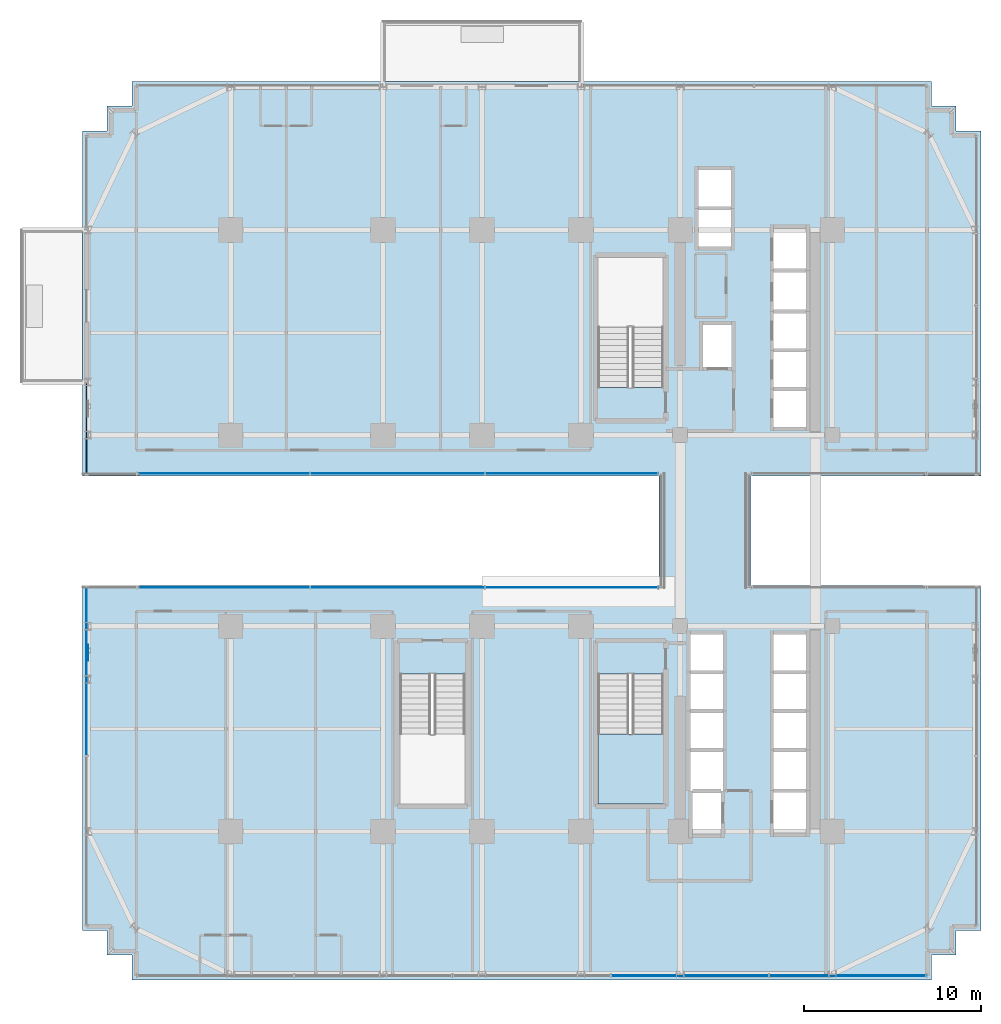
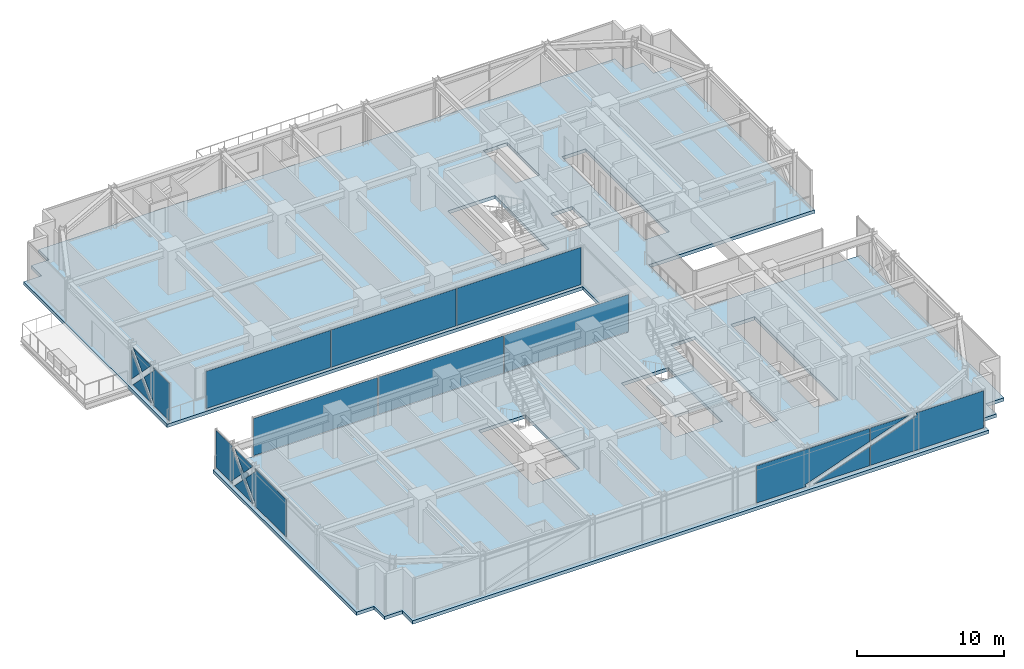
# One storey, part 31 of 43: 11 plates, 2 slabs, 6 elements without a shape of their own.
"""IFC4 building model written with IfcOpenShell, lengths in metres."""

from ifc_helpers import new_model, si_unit, direction, frame, origin, origin_2d, place, context, subcontext, project, spatial, polyline, rectangle, outline, extrude, source, transform, mapped, material, layer, layer_set, type_object, element, aggregate, save


model = new_model("IFC4")

# Units and contexts
model_context = context("Model", 3, precision=1e-05, world=origin(), true_north=direction((0.0, 1.0)))
body_context = subcontext(model_context, "Body", "Model", "MODEL_VIEW")
ifc_project = project(units=[si_unit("LENGTHUNIT", "METRE"), si_unit("AREAUNIT", "SQUARE_METRE"), si_unit("VOLUMEUNIT", "CUBIC_METRE"), si_unit("PLANEANGLEUNIT", "RADIAN"), si_unit("MASSUNIT", "GRAM", prefix="KILO")], contexts=[model_context])

# Site, building, storey
site_placement = place(None, origin())
site = spatial("IfcSite", under=ifc_project, at=site_placement, CompositionType="ELEMENT")
building_placement = place(site_placement, origin())
building = spatial("IfcBuilding", under=site, at=building_placement, Name="Nahalor Promenade Grand Hotel", CompositionType="ELEMENT")
storey_placement = place(building_placement, frame((0.0, 0.0, 47.0)))
storey = spatial("IfcBuildingStorey", under=building, at=storey_placement, Name="L10", CompositionType="ELEMENT", Elevation=47.0)

# Curtain wall, plates
ifc_material_1 = material(Name="Anodised Bronze Aluminium EN AW-6063 T6", Category="aluminium")
curtain_wall_type = type_object("IfcCurtainWallType", Name="CW3 Elliptical-Void Collar Unitised Curtain Wall", PredefinedType="USERDEFINED", material=ifc_material_1)
curtain_wall_1_placement = place(storey_placement, origin())
curtain_wall_1 = element("IfcCurtainWall", 1, at=curtain_wall_1_placement, inside=storey, type_object=curtain_wall_type, Name="L10 Curtain Wall CW-L10-S-1", ObjectType="UNITISED_CURTAIN_WALL", PredefinedType="USERDEFINED")
ifc_material_2 = material(Name="Low-E Laminated Solar Glass", Category="glass")
ifc_layer_1 = layer(ifc_material_2, 0.030029296875)
ifc_layer_set_1 = layer_set([ifc_layer_1], Name="Low-E Laminated Solar Glass")
plate_type_1 = type_object("IfcPlateType", Name="CWP3 High-Wind Laminated Bronze IGU 30mm", PredefinedType="CURTAIN_PANEL", material=ifc_layer_set_1)
plate_1_placement = place(storey_placement, frame((8.944091796875, -25.159912109375, 0.14013671875), z_axis=(0.0, 0.0, 1.0), x_axis=(1.0, 0.0, 0.0)))
plate_1 = element("IfcPlate", 2, at=plate_1_placement, type_object=plate_type_1, Name="CW-L10-S-1 Glazing Panel 3-0", PredefinedType="CURTAIN_PANEL", context=body_context, shape_type="SweptSolid", body=[
    extrude(outline(polyline([(-4.43701171875, 3.090087890625), (-4.43701171875, 0.0), (-0.56689453125, 0.0), (-0.634765625, 0.18994140625), (4.43701171875, 2.00048828125), (4.43701171875, 3.090087890625), (-4.43701171875, 3.090087890625)])), frame((0.0, 0.01513671875, 0.0), z_axis=(0.0, -1.0, 0.0), x_axis=(1.0, 0.0, 0.0)), (0.0, 0.0, 1.0), 0.030029296875),
    extrude(outline(polyline([(0.02294921875, 0.0), (4.43701171875, 0.0), (4.43701171875, 1.57568359375), (0.02294921875, 0.0)])), frame((0.0, 0.01513671875, 0.0), z_axis=(0.0, -1.0, 0.0), x_axis=(1.0, 0.0, 0.0)), (0.0, 0.0, 1.0), 0.030029296875),
])
plate_2_placement = place(storey_placement, frame((17.87060546875, -25.159912109375, 0.14013671875), z_axis=(0.0, 0.0, 1.0), x_axis=(1.0, 0.0, 0.0)))
plate_2 = element("IfcPlate", 3, at=plate_2_placement, type_object=plate_type_1, Name="CW-L10-S-1 Glazing Panel 4-0", PredefinedType="CURTAIN_PANEL", context=body_context, shape_type="SweptSolid", body=[
    extrude(outline(polyline([(4.41943359375, 0.0), (4.41943359375, 3.090087890625), (-0.847412109375, 3.090087890625), (-0.77978515625, 2.900146484375), (-4.41943359375, 1.600830078125), (-4.41943359375, 0.0), (4.41943359375, 0.0)])), frame((0.0, 0.01513671875, 0.0), z_axis=(0.0, -1.0, 0.0), x_axis=(1.0, 0.0, 0.0)), (0.0, 0.0, 1.0), 0.030029296875),
    extrude(outline(polyline([(-1.437255859375, 3.090087890625), (-4.41943359375, 3.090087890625), (-4.41943359375, 2.025390625), (-1.437255859375, 3.090087890625)])), frame((0.0, 0.01513671875, 0.0), z_axis=(0.0, -1.0, 0.0), x_axis=(1.0, 0.0, 0.0)), (0.0, 0.0, 1.0), 0.030029296875),
])
aggregate(curtain_wall_1, [plate_1, plate_2])

# Curtain wall, plate
curtain_wall_2_placement = place(storey_placement, origin())
curtain_wall_2 = element("IfcCurtainWall", 4, at=curtain_wall_2_placement, inside=storey, type_object=curtain_wall_type, Name="L10 Curtain Wall CW-L10-W-1", ObjectType="UNITISED_CURTAIN_WALL", PredefinedType="USERDEFINED")
plate_3_placement = place(storey_placement, frame((-25.159912109375, -7.9326171875, 0.14013671875), z_axis=(0.0, 0.0, 1.0), x_axis=(0.0, 1.0, 0.0)))
plate_3 = element("IfcPlate", 5, at=plate_3_placement, type_object=plate_type_1, Name="CW-L10-W-1 Glazing Panel 1-0", PredefinedType="CURTAIN_PANEL", context=body_context, shape_type="SweptSolid", body=[
    extrude(outline(polyline([(-4.762451171875, 3.090087890625), (-4.762451171875, 0.0), (-0.492919921875, 0.0), (-0.6279296875, 0.1318359375), (0.7529296875, 1.544921875), (-0.6279296875, 2.9580078125), (-0.492919921875, 3.090087890625), (-4.762451171875, 3.090087890625)])), frame((0.0, 0.01513671875, 0.0), z_axis=(0.0, -1.0, 0.0), x_axis=(1.0, 0.0, 0.0)), (0.0, 0.0, 1.0), 0.030029296875),
    extrude(outline(polyline([(1.032470703125, 1.2587890625), (-0.19775390625, 0.0), (2.2626953125, 0.0), (1.032470703125, 1.2587890625)])), frame((0.0, 0.01513671875, 0.0), z_axis=(0.0, -1.0, 0.0), x_axis=(1.0, 0.0, 0.0)), (0.0, 0.0, 1.0), 0.030029296875),
    extrude(outline(polyline([(1.032470703125, 1.831298828125), (2.2626953125, 3.090087890625), (-0.197509765625, 3.090087890625), (1.032470703125, 1.831298828125)])), frame((0.0, 0.01513671875, 0.0), z_axis=(0.0, -1.0, 0.0), x_axis=(1.0, 0.0, 0.0)), (0.0, 0.0, 1.0), 0.030029296875),
    extrude(outline(polyline([(4.762451171875, 0.0), (4.762451171875, 3.090087890625), (2.55810546875, 3.090087890625), (2.693115234375, 2.9580078125), (1.31201171875, 1.544921875), (2.693115234375, 0.1318359375), (2.55810546875, 0.0), (4.762451171875, 0.0)])), frame((0.0, 0.01513671875, 0.0), z_axis=(0.0, -1.0, 0.0), x_axis=(1.0, 0.0, 0.0)), (0.0, 0.0, 1.0), 0.030029296875),
])
aggregate(curtain_wall_2, [plate_3])

curtain_wall_3_placement = place(storey_placement, origin())
curtain_wall_3 = element("IfcCurtainWall", 6, at=curtain_wall_3_placement, inside=storey, type_object=curtain_wall_type, Name="L10 Curtain Wall CW-L10-W-2", ObjectType="UNITISED_CURTAIN_WALL", PredefinedType="USERDEFINED")
plate_4_placement = place(storey_placement, frame((-25.159912109375, 5.75, 0.14013671875), z_axis=(0.0, 0.0, 1.0), x_axis=(0.0, 1.0, 0.0)))
plate_4 = element("IfcPlate", 7, at=plate_4_placement, type_object=plate_type_1, Name="CW-L10-W-2 Glazing Panel 0-0", PredefinedType="CURTAIN_PANEL", context=body_context, shape_type="SweptSolid", body=[
    extrude(outline(polyline([(-2.580078125, 3.090087890625), (-2.580078125, 0.0), (-0.37548828125, 0.0), (-0.510498046875, 0.1318359375), (0.870361328125, 1.544921875), (-0.510498046875, 2.9580078125), (-0.37548828125, 3.090087890625), (-2.580078125, 3.090087890625)])), frame((0.0, 0.01513671875, 0.0), z_axis=(0.0, -1.0, 0.0), x_axis=(1.0, 0.0, 0.0)), (0.0, 0.0, 1.0), 0.030029296875),
    extrude(outline(polyline([(1.14990234375, 1.2587890625), (-0.080078125, 0.0), (2.380126953125, 0.0), (1.14990234375, 1.2587890625)])), frame((0.0, 0.01513671875, 0.0), z_axis=(0.0, -1.0, 0.0), x_axis=(1.0, 0.0, 0.0)), (0.0, 0.0, 1.0), 0.030029296875),
    extrude(outline(polyline([(1.14990234375, 1.831298828125), (2.380126953125, 3.090087890625), (-0.080078125, 3.090087890625), (1.14990234375, 1.831298828125)])), frame((0.0, 0.01513671875, 0.0), z_axis=(0.0, -1.0, 0.0), x_axis=(1.0, 0.0, 0.0)), (0.0, 0.0, 1.0), 0.030029296875),
    extrude(outline(polyline([(1.4296875, 1.544921875), (2.580078125, 0.36767578125), (2.580078125, 2.72216796875), (1.4296875, 1.544921875)])), frame((0.0, 0.01513671875, 0.0), z_axis=(0.0, -1.0, 0.0), x_axis=(1.0, 0.0, 0.0)), (0.0, 0.0, 1.0), 0.030029296875),
])
aggregate(curtain_wall_3, [plate_4])

# Stair, slab
ifc_material_3 = material(Name="Concrete B-50 (C40/50)", Category="concrete")
stair_type = type_object("IfcStairType", Name="Stair-ST2", PredefinedType="HALF_TURN_STAIR", material=ifc_material_3)
stair_placement = place(storey_placement, origin())
stair = element("IfcStair", 8, at=stair_placement, inside=storey, type_object=stair_type, Name="L10 ST2", PredefinedType="HALF_TURN_STAIR")
ifc_layer_2 = layer(ifc_material_3, 0.2099609375)
ifc_layer_set_2 = layer_set([ifc_layer_2], Name="Concrete B-50 (C40/50)")
slab_type_1 = type_object("IfcSlabType", Name="Landing-ST2", PredefinedType="LANDING", material=ifc_layer_set_2)
slab_1_placement = place(storey_placement, frame((0.0, 0.0, 1.614990234375)))
slab_1 = element("IfcSlab", 9, at=slab_1_placement, type_object=slab_type_1, Name="ST2 landing 1", PredefinedType="LANDING", context=body_context, shape_type="SweptSolid", body=[
    extrude(outline(polyline([(3.75, -11.5), (3.75, -15.449951171875), (7.449951171875, -15.449951171875), (7.449951171875, -11.5), (3.75, -11.5)])), origin(), (0.0, 0.0, 1.0), 0.2099609375),
])
aggregate(stair, [slab_1])

# Slab
ifc_layer_3 = layer(ifc_material_3, 0.280029296875)
ifc_layer_set_3 = layer_set([ifc_layer_3], Name="Concrete B-50 (C40/50)")
slab_type_2 = type_object("IfcSlabType", Name="Slab-TowerZ1-280", PredefinedType="FLOOR", material=ifc_layer_set_3)
slab_2_placement = place(storey_placement, frame((0.0, 0.0, -0.280029296875)))
element("IfcSlab", 10, at=slab_2_placement, inside=storey, type_object=slab_type_2, Name="L10 Suspended Structural Floor Slab", PredefinedType="FLOOR", context=body_context, shape_type="SweptSolid", body=[
    extrude(outline(polyline([(-22.60009765625, -25.39990234375), (22.60009765625, -25.39990234375), (22.60009765625, -24.0), (24.0, -24.0), (24.0, -22.60009765625), (25.39990234375, -22.60009765625), (25.39990234375, -3.10009765625), (12.39990234375, -3.10009765625), (12.39990234375, 3.10009765625), (25.39990234375, 3.10009765625), (25.39990234375, 22.60009765625), (24.0, 22.60009765625), (24.0, 24.0), (22.60009765625, 24.0), (22.60009765625, 25.39990234375), (-22.60009765625, 25.39990234375), (-22.60009765625, 24.0), (-24.0, 24.0), (-24.0, 22.60009765625), (-25.39990234375, 22.60009765625), (-25.39990234375, 3.10009765625), (7.199951171875, 3.10009765625), (7.199951171875, -3.10009765625), (-25.39990234375, -3.10009765625), (-25.39990234375, -22.60009765625), (-24.0, -22.60009765625), (-24.0, -24.0), (-22.60009765625, -24.0), (-22.60009765625, -25.39990234375)]), holes=[polyline([(3.75, 8.10009765625), (7.449951171875, 8.10009765625), (7.449951171875, 15.449951171875), (3.75, 15.449951171875), (3.75, 8.10009765625)]), polyline([(3.75, -15.449951171875), (7.449951171875, -15.449951171875), (7.449951171875, -8.10009765625), (3.75, -8.10009765625), (3.75, -15.449951171875)]), polyline([(-7.449951171875, -15.449951171875), (-3.75, -15.449951171875), (-3.75, -8.10009765625), (-7.449951171875, -8.10009765625), (-7.449951171875, -15.449951171875)]), polyline([(13.659912109375, 5.81005859375), (15.5400390625, 5.81005859375), (15.5400390625, 17.139892578125), (13.659912109375, 17.139892578125), (13.659912109375, 5.81005859375)]), polyline([(13.659912109375, -17.139892578125), (15.5400390625, -17.139892578125), (15.5400390625, -5.81005859375), (13.659912109375, -5.81005859375), (13.659912109375, -17.139892578125)]), polyline([(8.9599609375, -17.18994140625), (10.840087890625, -17.18994140625), (10.840087890625, -5.81005859375), (8.9599609375, -5.81005859375), (8.9599609375, -17.18994140625)]), polyline([(9.409912109375, 16.010009765625), (11.2900390625, 16.010009765625), (11.2900390625, 20.43994140625), (9.409912109375, 20.43994140625), (9.409912109375, 16.010009765625)]), polyline([(9.659912109375, 9.2099609375), (11.340087890625, 9.2099609375), (11.340087890625, 11.68994140625), (9.659912109375, 11.68994140625), (9.659912109375, 9.2099609375)])]), origin(), (0.0, 0.0, 1.0), 0.280029296875),
])

# Plate
ifc_material_4 = material(Name="Steel S355J2", Category="steel")
ifc_layer_4 = layer(ifc_material_4, 0.035888671875)
ifc_layer_set_4 = layer_set([ifc_layer_4], Name="Steel S355J2")
plate_type_2 = type_object("IfcPlateType", Name="Plate-CrossGusset-36", PredefinedType="USERDEFINED", material=ifc_layer_set_4)
shared_shape_1 = source(origin(), body_context, "Body", "SweptSolid", [
    extrude(rectangle(XDim=0.89990234375, YDim=0.035888671875, at=origin_2d()), origin(), (0.0, 0.0, 1.0), 0.89990234375),
])
plate_5_placement = place(storey_placement, frame((-25.080078125, -6.89990234375, 1.235107421875), z_axis=(0.0, 0.0, 1.0), x_axis=(0.0, 1.0, 0.0)))
element("IfcPlate", 11, at=plate_5_placement, inside=storey, type_object=plate_type_2, Name="PL-L10-VXX-W0", ObjectType="GUSSET_PLATE", PredefinedType="USERDEFINED", context=body_context, shape_type="MappedRepresentation", body=[
    mapped(shared_shape_1, transform((0.0, 0.0, 0.0), scale=1.0)),
])

# Curtain wall, plates
curtain_wall_4_placement = place(storey_placement, origin())
curtain_wall_4 = element("IfcCurtainWall", 12, at=curtain_wall_4_placement, inside=storey, type_object=curtain_wall_type, Name="L10 Curtain Wall CW-L10-VOID-WS1", ObjectType="UNITISED_CURTAIN_WALL", PredefinedType="USERDEFINED")
shared_shape_2 = source(origin(), body_context, "Body", "SweptSolid", [
    extrude(rectangle(XDim=9.748291015625, YDim=0.030029296875, at=origin_2d()), origin(), (0.0, 0.0, 1.0), 3.090087890625),
])
plate_6_placement = place(storey_placement, frame((-17.415771484375, -3.219970703125, 0.14013671875), z_axis=(0.0, 0.0, 1.0), x_axis=(1.0, 0.0, 0.0)))
plate_6 = element("IfcPlate", 13, at=plate_6_placement, type_object=plate_type_1, Name="CW-L10-VOID-WS1 Glazing Panel 0-0", PredefinedType="CURTAIN_PANEL", context=body_context, shape_type="MappedRepresentation", body=[
    mapped(shared_shape_2, transform((0.0, 0.0, 0.0), scale=1.0)),
])
plate_7_placement = place(storey_placement, frame((2.255859375, -3.219970703125, 0.14013671875), z_axis=(0.0, 0.0, 1.0), x_axis=(1.0, 0.0, 0.0)))
plate_7 = element("IfcPlate", 14, at=plate_7_placement, type_object=plate_type_1, Name="CW-L10-VOID-WS1 Glazing Panel 2-0", PredefinedType="CURTAIN_PANEL", context=body_context, shape_type="MappedRepresentation", body=[
    mapped(shared_shape_2, transform((0.0, 0.0, 0.0), scale=1.0)),
])

curtain_wall_5_placement = place(storey_placement, origin())
curtain_wall_5 = element("IfcCurtainWall", 15, at=curtain_wall_5_placement, inside=storey, type_object=curtain_wall_type, Name="L10 Curtain Wall CW-L10-VOID-WN1", ObjectType="UNITISED_CURTAIN_WALL", PredefinedType="USERDEFINED")
plate_8_placement = place(storey_placement, frame((-17.415771484375, 3.219970703125, 0.14013671875), z_axis=(0.0, 0.0, 1.0), x_axis=(1.0, 0.0, 0.0)))
plate_8 = element("IfcPlate", 16, at=plate_8_placement, type_object=plate_type_1, Name="CW-L10-VOID-WN1 Glazing Panel 0-0", PredefinedType="CURTAIN_PANEL", context=body_context, shape_type="MappedRepresentation", body=[
    mapped(shared_shape_2, transform((0.0, 0.0, 0.0), scale=1.0)),
])
plate_9_placement = place(storey_placement, frame((2.255859375, 3.219970703125, 0.14013671875), z_axis=(0.0, 0.0, 1.0), x_axis=(1.0, 0.0, 0.0)))
plate_9 = element("IfcPlate", 17, at=plate_9_placement, type_object=plate_type_1, Name="CW-L10-VOID-WN1 Glazing Panel 2-0", PredefinedType="CURTAIN_PANEL", context=body_context, shape_type="MappedRepresentation", body=[
    mapped(shared_shape_2, transform((0.0, 0.0, 0.0), scale=1.0)),
])

# Plate
shared_shape_3 = source(origin(), body_context, "Body", "SweptSolid", [
    extrude(rectangle(XDim=9.783447265625, YDim=0.030029296875, at=origin_2d()), origin(), (0.0, 0.0, 1.0), 3.090087890625),
])
plate_10_placement = place(storey_placement, frame((-7.580078125, -3.219970703125, 0.14013671875), z_axis=(0.0, 0.0, 1.0), x_axis=(1.0, 0.0, 0.0)))
plate_10 = element("IfcPlate", 18, at=plate_10_placement, type_object=plate_type_1, Name="CW-L10-VOID-WS1 Glazing Panel 1-0", PredefinedType="CURTAIN_PANEL", context=body_context, shape_type="MappedRepresentation", body=[
    mapped(shared_shape_3, transform((0.0, 0.0, 0.0), scale=1.0)),
])

aggregate(curtain_wall_4, [plate_6, plate_10, plate_7])

plate_11_placement = place(storey_placement, frame((-7.580078125, 3.219970703125, 0.14013671875), z_axis=(0.0, 0.0, 1.0), x_axis=(1.0, 0.0, 0.0)))
plate_11 = element("IfcPlate", 19, at=plate_11_placement, type_object=plate_type_1, Name="CW-L10-VOID-WN1 Glazing Panel 1-0", PredefinedType="CURTAIN_PANEL", context=body_context, shape_type="MappedRepresentation", body=[
    mapped(shared_shape_3, transform((0.0, 0.0, 0.0), scale=1.0)),
])

aggregate(curtain_wall_5, [plate_8, plate_11, plate_9])

save(model, "model.ifc")
